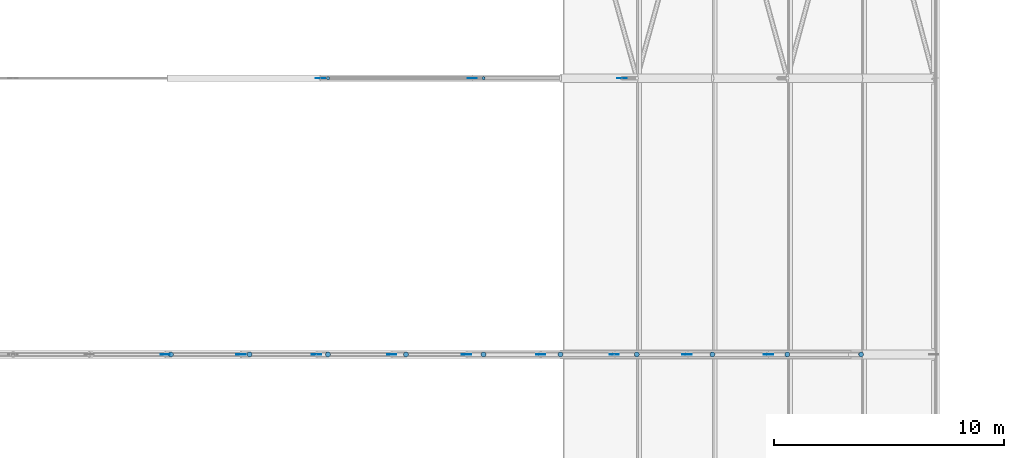
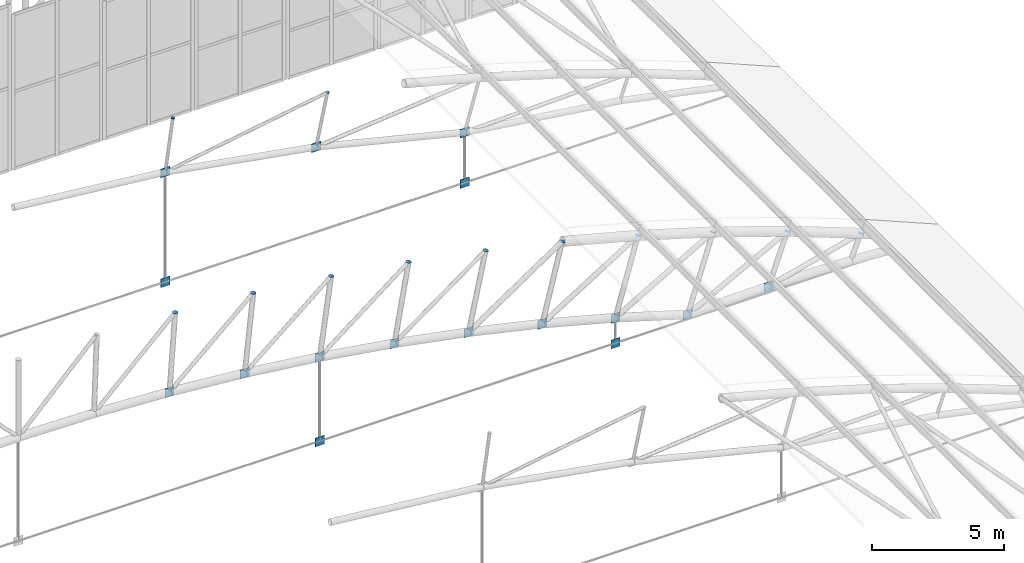
# One storey, part 301 of 321: 28 discrete accessories.
"""IFC4 building model written with IfcOpenShell, lengths in metres."""

import ifcopenshell
import ifcopenshell.guid

model = None  # the IFC model being written
_history = None  # IfcOwnerHistory: only IFC2X3 demands one
_inside = {}  # id of a spatial element -> (the spatial element, [elements in it])
_under = {}  # id of a project, library or spatial element -> (it, [spatial elements below it])
_declared = {}  # id of a project -> (the project, [libraries it declares])
_typed = {}  # id of a type object -> (the type object, [elements of that type])
_made_of = {}  # id of a material, layer set ... -> (it, [elements and type objects made of it])


def new_model(schema):
    """Start an empty IFC model of exactly this schema.

    Asked for "IFC4X3", IfcOpenShell would pick the latest addendum, in which some entities
    have other attributes; the version numbers below select the first issue.
    IFC2X3 requires an IfcOwnerHistory on every rooted entity: one is made here for all.
    """
    global model, _history
    if schema == "IFC4X3":
        model = ifcopenshell.file(schema_version=(4, 3, 0, 0))
    else:
        model = ifcopenshell.file(schema=schema)
    _inside.clear()
    _under.clear()
    _declared.clear()
    _typed.clear()
    _made_of.clear()
    _history = None
    if model.schema == "IFC2X3":
        org = make("IfcOrganization", Name="unknown")
        user = make(
            "IfcPersonAndOrganization",
            ThePerson=make("IfcPerson", FamilyName="unknown"),
            TheOrganization=org,
        )
        app = make(
            "IfcApplication",
            ApplicationDeveloper=org,
            Version="unknown",
            ApplicationFullName="unknown",
            ApplicationIdentifier="unknown",
        )
        _history = make(
            "IfcOwnerHistory",
            OwningUser=user,
            OwningApplication=app,
            ChangeAction="ADDED",
            CreationDate=0,
        )
    return model


def make(cls, **values):
    """One entity of the class cls with the attributes given. An attribute that is None is left unset."""
    return model.create_entity(
        cls, **{name: value for name, value in values.items() if value is not None}
    )


def rooted(cls, **values):
    """An entity with a GlobalId (a new one), such as an element, a storey or a relation."""
    return make(cls, GlobalId=ifcopenshell.guid.new(), OwnerHistory=_history, **values)


def si_unit(unit_type, name, prefix=None):
    """IfcSIUnit, for example si_unit("LENGTHUNIT", "METRE", prefix="MILLI")."""
    return make("IfcSIUnit", UnitType=unit_type, Prefix=prefix, Name=name)


def assignment(units):
    """IfcUnitAssignment: the units of a project."""
    return None if units is None else make("IfcUnitAssignment", Units=units)


def point(xyz):
    """IfcCartesianPoint."""
    return None if xyz is None else make("IfcCartesianPoint", Coordinates=xyz)


def direction(xyz):
    """IfcDirection."""
    return None if xyz is None else make("IfcDirection", DirectionRatios=xyz)


def frame(location, z_axis=None, x_axis=None):
    """IfcAxis2Placement3D, a coordinate frame: its origin and axes. An axis left out is left unset."""
    return make(
        "IfcAxis2Placement3D",
        Location=point(location),
        Axis=direction(z_axis),
        RefDirection=direction(x_axis),
    )


def frame_2d(location, x_axis=None):
    """IfcAxis2Placement2D, a coordinate frame in the plane: its origin and x axis."""
    return make(
        "IfcAxis2Placement2D", Location=point(location), RefDirection=direction(x_axis)
    )


def origin():
    """The frame at (0, 0, 0) with its axes left unset."""
    return frame((0.0, 0.0, 0.0))


def origin_2d():
    """The frame at (0, 0) in the plane with its x axis left unset."""
    return frame_2d((0.0, 0.0))


def place(relative_to, where):
    """IfcLocalPlacement: puts the frame where relative to a parent placement (None: the world)."""
    return make(
        "IfcLocalPlacement", PlacementRelTo=relative_to, RelativePlacement=where
    )


def context(
    kind, dimensions, precision=None, world=None, true_north=None, identifier=None
):
    """IfcGeometricRepresentationContext, for example the 3D "Model" context."""
    return make(
        "IfcGeometricRepresentationContext",
        ContextIdentifier=identifier,
        ContextType=kind,
        CoordinateSpaceDimension=dimensions,
        Precision=precision,
        WorldCoordinateSystem=world,
        TrueNorth=true_north,
    )


def subcontext(parent, identifier, kind, view, scale=None):
    """IfcGeometricRepresentationSubContext, for example "Body" below "Model"."""
    return make(
        "IfcGeometricRepresentationSubContext",
        ContextIdentifier=identifier,
        ContextType=kind,
        ParentContext=parent,
        TargetScale=scale,
        TargetView=view,
    )


def project(units=None, contexts=None):
    """IfcProject with its units and contexts."""
    return rooted(
        "IfcProject",
        Name="project",
        RepresentationContexts=contexts,
        UnitsInContext=assignment(units),
    )


def spatial(cls, under=None, at=None, **own):
    """A site, building, storey or space (cls), placed at a placement, below another one or the project."""
    s = rooted(cls, ObjectPlacement=at, **own)
    if under is not None:
        _under.setdefault(under.id(), (under, []))[1].append(s)
    return s


def profile(cls, at=None, kind="AREA", **sizes):
    """A parametric profile (cls). Its sizes go by their IFC names, for example OverallWidth=200.0."""
    return make(cls, ProfileType=kind, Position=at, **sizes)


def rectangle(**sizes):
    """IfcRectangleProfileDef."""
    return profile("IfcRectangleProfileDef", **sizes)


def circle(**sizes):
    """IfcCircleProfileDef."""
    return profile("IfcCircleProfileDef", **sizes)


def extrude(swept, where, along, depth):
    """IfcExtrudedAreaSolid: the profile swept, set in the frame where, extruded along a direction by depth."""
    return make(
        "IfcExtrudedAreaSolid",
        SweptArea=swept,
        Position=where,
        ExtrudedDirection=direction(along),
        Depth=depth,
    )


def shape(context_of_items, identifier, shape_type, items):
    """IfcShapeRepresentation: the items that make up one representation, for example the "Body"."""
    return make(
        "IfcShapeRepresentation",
        ContextOfItems=context_of_items,
        RepresentationIdentifier=identifier,
        RepresentationType=shape_type,
        Items=items,
    )


def material(Name=None, Category=None):
    """IfcMaterial."""
    return make("IfcMaterial", Name=Name, Category=Category)


def material_profile(
    of_material, cross_section, Name=None, Category=None, Priority=None
):
    """IfcMaterialProfile: a cross section and its material."""
    return make(
        "IfcMaterialProfile",
        Name=Name,
        Material=of_material,
        Profile=cross_section,
        Priority=Priority,
        Category=Category,
    )


def profile_set(profiles, Name=None, composite=None):
    """IfcMaterialProfileSet."""
    return make(
        "IfcMaterialProfileSet",
        Name=Name,
        MaterialProfiles=profiles,
        CompositeProfile=composite,
    )


def made_of(thing, what):
    """Note that an element or type object is made of a material, layer set ...; save() writes the relation."""
    if what is not None:
        _made_of.setdefault(what.id(), (what, []))[1].append(thing)
    return thing


def type_object(cls, material=None, **own):
    """A type object (cls), such as IfcWallType, which elements share."""
    return made_of(rooted(cls, **own), material)


def element(
    cls,
    number,
    at=None,
    inside=None,
    cuts=None,
    type_object=None,
    material=None,
    context=None,
    identifier="Body",
    shape_type=None,
    held_by="IfcProductDefinitionShape",
    body=None,
    shapes=None,
    **own,
):
    """One element of the class cls, such as IfcWall. Its Tag is "e" and its number.

    at: its placement. inside: the storey or other place that contains it. cuts: it is an
    opening in that element (IfcRelVoidsElement). A single representation is given by context,
    identifier, shape_type and body (its items); several are given by shapes. held_by: the class
    of the entity that holds the representations. save() writes the other relations.
    """
    e = rooted(cls, Tag="e%d" % number, ObjectPlacement=at, **own)
    if body is not None:
        shapes = [shape(context, identifier, shape_type, body)]
    if shapes is not None:
        e.Representation = make(held_by, Representations=shapes)
    if inside is not None:
        _inside.setdefault(inside.id(), (inside, []))[1].append(e)
    if cuts is not None:
        rooted(
            "IfcRelVoidsElement", RelatingBuildingElement=cuts, RelatedOpeningElement=e
        )
    if type_object is not None:
        _typed.setdefault(type_object.id(), (type_object, []))[1].append(e)
    return made_of(e, material)


def aggregate(whole, parts):
    """IfcRelAggregates: a whole, such as a stair, and the parts it consists of."""
    return rooted("IfcRelAggregates", RelatingObject=whole, RelatedObjects=parts)


def save(model, path):
    """Write the relations noted so far, then the file.

    IfcRelAggregates (storeys below a building ...), IfcRelContainedInSpatialStructure (elements
    in a storey), IfcRelDefinesByType, IfcRelAssociatesMaterial and IfcRelDeclares: one each for
    every whole, place, type object, material and project.
    """
    for whole, parts in _under.values():
        aggregate(whole, parts)
    for where, things in _inside.values():
        rooted(
            "IfcRelContainedInSpatialStructure",
            RelatedElements=things,
            RelatingStructure=where,
        )
    for kind, things in _typed.values():
        rooted("IfcRelDefinesByType", RelatedObjects=things, RelatingType=kind)
    for what, things in _made_of.values():
        rooted("IfcRelAssociatesMaterial", RelatedObjects=things, RelatingMaterial=what)
    for by, libraries in _declared.values():
        rooted("IfcRelDeclares", RelatingContext=by, RelatedDefinitions=libraries)
    model.write(path)


model = new_model("IFC4")

# Units and contexts
model_context = context("Model", 3, precision=1e-05, world=origin(), true_north=direction((0.0, 1.0)))
body_context = subcontext(model_context, "Body", "Model", "MODEL_VIEW")
ifc_project = project(units=[si_unit("LENGTHUNIT", "METRE"), si_unit("AREAUNIT", "SQUARE_METRE"), si_unit("VOLUMEUNIT", "CUBIC_METRE"), si_unit("PLANEANGLEUNIT", "RADIAN"), si_unit("MASSUNIT", "GRAM", prefix="KILO")], contexts=[model_context])

# Site, building, storey
site_placement = place(None, origin())
site = spatial("IfcSite", under=ifc_project, at=site_placement, CompositionType="ELEMENT")
building_placement = place(site_placement, origin())
building = spatial("IfcBuilding", under=site, at=building_placement, Name="Ravi Spectrum Wholesale Market", CompositionType="ELEMENT")
storey_placement = place(building_placement, frame((0.0, 0.0, 10.800048828125)))
storey = spatial("IfcBuildingStorey", under=building, at=storey_placement, Name="L02", CompositionType="ELEMENT", Elevation=10.800048828125)

# Discrete accessories
ifc_material_1 = material(Name="Steel S355", Category="steel")
ifc_material_profile_1 = material_profile(ifc_material_1, circle(Radius=0.06982421875, at=origin_2d()))
ifc_profile_set_1 = profile_set([ifc_material_profile_1], Name="Steel S355")
discrete_accessory_type_1 = type_object("IfcDiscreteAccessoryType", Name="End plate CHS 139.7x5", PredefinedType="BRACKET", material=ifc_profile_set_1)
for number, where, z_axis, x_axis, name in (
    (1, (83.681884765625, 186.0, 7.479736328125), (0.141421356237, 0.0, 0.989949493661), (0.0, 1.0, 0.0), "End plate"),
    (2, (90.44140625, 186.0, 6.30224609375), (0.203954254112, 0.0, 0.978980419738), (0.0, 1.0, 0.0), "End plate"),
):
    element("IfcDiscreteAccessory", number, at=place(storey_placement, frame(where, z_axis=z_axis, x_axis=x_axis)), inside=storey, type_object=discrete_accessory_type_1, Name=name, PredefinedType="BRACKET", context=body_context, shape_type="SweptSolid", body=[
        extrude(circle(Radius=0.06982421875, at=origin_2d()), origin(), (0.0, 0.0, 1.0), 0.011962890625),
    ])
ifc_material_2 = material(Name="Steel S355", Category="steel")
ifc_material_profile_2 = material_profile(ifc_material_2, circle(Radius=0.109619140625, at=origin_2d()))
ifc_profile_set_2 = profile_set([ifc_material_profile_2], Name="Steel S355")
discrete_accessory_type_2 = type_object("IfcDiscreteAccessoryType", Name="End plate CHS 219.1x8", PredefinedType="BRACKET", material=ifc_profile_set_2)
for number, where, z_axis, x_axis, name in (
    (3, (76.85546875, 174.0, 8.163330078125), (0.081362009455, 0.0, 0.996684615823), (0.0, 1.0, 0.0), "End plate"),
    (4, (80.273193359375, 174.0, 7.867919921875), (0.101513688013, 0.0, 0.994834142531), (0.0, 1.0, 0.0), "End plate"),
    (5, (83.678466796875, 174.0, 7.45458984375), (0.141421356237, 0.0, 0.989949493661), (0.0, 1.0, 0.0), "End plate"),
    (6, (87.0673828125, 174.0, 6.92431640625), (0.18428853505, 0.0, 0.982872186934), (0.0, 1.0, 0.0), "End plate"),
    (7, (90.436279296875, 174.0, 6.27734375), (0.203954254112, 0.0, 0.978980419738), (0.0, 1.0, 0.0), "End plate"),
    (8, (93.78076171875, 174.0, 5.514404296875), (0.223376156329, 0.0, 0.974732318528), (0.0, 1.0, 0.0), "End plate"),
):
    element("IfcDiscreteAccessory", number, at=place(storey_placement, frame(where, z_axis=z_axis, x_axis=x_axis)), inside=storey, type_object=discrete_accessory_type_2, Name=name, PredefinedType="BRACKET", context=body_context, shape_type="SweptSolid", body=[
        extrude(circle(Radius=0.109619140625, at=origin_2d()), origin(), (0.0, 0.0, 1.0), 0.011962890625),
    ])
discrete_accessory_1_placement = place(storey_placement, frame((97.096923828125, 174.0, 4.63671875), z_axis=(0.261415475728, 0.0, 0.96522637192), x_axis=(0.0, 1.0, 0.0)))
element("IfcDiscreteAccessory", 9, at=discrete_accessory_1_placement, inside=storey, type_object=discrete_accessory_type_2, Name="End plate", PredefinedType="BRACKET", context=body_context, shape_type="SweptSolid", body=[
    extrude(circle(Radius=0.109619140625, at=origin_2d()), origin(), (0.0, 0.0, 1.0), 0.01220703125),
])
for number, where, z_axis, x_axis, name in (
    (10, (100.380615234375, 174.0, 3.645263671875), (0.304040173793, 0.0, 0.952659211219), (0.0, 1.0, 0.0), "End plate"),
    (11, (103.62841796875, 174.0, 2.541015625), (0.346650140872, 0.0, 0.937994498829), (0.0, 1.0, 0.0), "End plate"),
    (12, (106.836181640625, 174.0, 1.325439453125), (0.364399348581, 0.0, 0.931242779706), (0.0, 1.0, 0.0), "End plate"),
):
    element("IfcDiscreteAccessory", number, at=place(storey_placement, frame(where, z_axis=z_axis, x_axis=x_axis)), inside=storey, type_object=discrete_accessory_type_2, Name=name, PredefinedType="BRACKET", context=body_context, shape_type="SweptSolid", body=[
        extrude(circle(Radius=0.109619140625, at=origin_2d()), origin(), (0.0, 0.0, 1.0), 0.011962890625),
    ])
ifc_material_3 = material(Name="Steel S355", Category="steel")
ifc_material_profile_3 = material_profile(ifc_material_3, rectangle(XDim=0.39990234375, YDim=0.02001953125, at=origin_2d()))
ifc_profile_set_3 = profile_set([ifc_material_profile_3], Name="Steel S355")
discrete_accessory_type_3 = type_object("IfcDiscreteAccessoryType", Name="Gusset plate 400x400x20", PredefinedType="BRACKET", material=ifc_profile_set_3)
discrete_accessory_2_placement = place(storey_placement, frame((76.607421875, 174.0, 4.371826171875), z_axis=(0.0, 0.0, 1.0), x_axis=(-1.0, 0.0, 0.0)))
element("IfcDiscreteAccessory", 13, at=discrete_accessory_2_placement, inside=storey, type_object=discrete_accessory_type_3, Name="Gusset plate", PredefinedType="BRACKET", context=body_context, shape_type="SweptSolid", body=[
    extrude(rectangle(XDim=0.39990234375, YDim=0.02001953125, at=origin_2d()), origin(), (0.0, 0.0, 1.0), 0.400146484375),
])
for number, where, z_axis, x_axis, name in (
    (14, (79.901123046875, 174.0, 4.087158203125), (0.0, 0.0, 1.0), (-1.0, 0.0, 0.0), "Gusset plate"),
    (15, (83.18310546875, 174.0, -0.199951171875), (0.0, 0.0, 1.0), (1.0, 0.0, 0.0), "Gusset plate"),
    (16, (83.18310546875, 174.0, 3.68896484375), (0.0, 0.0, 1.0), (-1.0, 0.0, 0.0), "Gusset plate"),
    (17, (83.351806640625, 186.0, -0.1767578125), (0.0, 0.0, 1.0), (1.0, 0.0, 0.0), "Gusset plate"),
):
    element("IfcDiscreteAccessory", number, at=place(storey_placement, frame(where, z_axis=z_axis, x_axis=x_axis)), inside=storey, type_object=discrete_accessory_type_3, Name=name, PredefinedType="BRACKET", context=body_context, shape_type="SweptSolid", body=[
        extrude(rectangle(XDim=0.39990234375, YDim=0.02001953125, at=origin_2d()), origin(), (0.0, 0.0, 1.0), 0.39990234375),
    ])
discrete_accessory_3_placement = place(storey_placement, frame((83.351806640625, 186.0, 4.902587890625), z_axis=(0.0, 0.0, 1.0), x_axis=(-1.0, 0.0, 0.0)))
element("IfcDiscreteAccessory", 18, at=discrete_accessory_3_placement, inside=storey, type_object=discrete_accessory_type_3, Name="Gusset plate", PredefinedType="BRACKET", context=body_context, shape_type="SweptSolid", body=[
    extrude(rectangle(XDim=0.39990234375, YDim=0.02001953125, at=origin_2d()), origin(), (0.0, 0.0, 1.0), 0.400146484375),
])
for number, where, z_axis, x_axis, name in (
    (19, (86.44970703125, 174.0, 3.177734375), (0.0, 0.0, 1.0), (-1.0, 0.0, 0.0), "Gusset plate"),
    (20, (89.6962890625, 174.0, 2.55419921875), (0.0, 0.0, 1.0), (-1.0, 0.0, 0.0), "Gusset plate"),
    (21, (89.9482421875, 186.0, 3.75341796875), (0.0, 0.0, 1.0), (-1.0, 0.0, 0.0), "Gusset plate"),
    (22, (92.919677734375, 174.0, 1.819091796875), (0.0, 0.0, 1.0), (-1.0, 0.0, 0.0), "Gusset plate"),
    (23, (96.11572265625, 174.0, -0.199951171875), (0.0, 0.0, 1.0), (1.0, 0.0, 0.0), "Gusset plate"),
    (24, (96.11572265625, 174.0, 0.97314453125), (0.0, 0.0, 1.0), (-1.0, 0.0, 0.0), "Gusset plate"),
    (25, (96.44970703125, 186.0, -0.1767578125), (0.0, 0.0, 1.0), (1.0, 0.0, 0.0), "Gusset plate"),
    (26, (96.44970703125, 186.0, 2.152099609375), (0.0, 0.0, 1.0), (-1.0, 0.0, 0.0), "Gusset plate"),
):
    element("IfcDiscreteAccessory", number, at=place(storey_placement, frame(where, z_axis=z_axis, x_axis=x_axis)), inside=storey, type_object=discrete_accessory_type_3, Name=name, PredefinedType="BRACKET", context=body_context, shape_type="SweptSolid", body=[
        extrude(rectangle(XDim=0.39990234375, YDim=0.02001953125, at=origin_2d()), origin(), (0.0, 0.0, 1.0), 0.39990234375),
    ])
discrete_accessory_4_placement = place(storey_placement, frame((99.28076171875, 174.0, 0.017333984375), z_axis=(0.0, 0.0, 1.0), x_axis=(-1.0, 0.0, 0.0)))
element("IfcDiscreteAccessory", 27, at=discrete_accessory_4_placement, inside=storey, type_object=discrete_accessory_type_3, Name="Gusset plate", PredefinedType="BRACKET", context=body_context, shape_type="SweptSolid", body=[
    extrude(rectangle(XDim=0.39990234375, YDim=0.02001953125, at=origin_2d()), origin(), (0.0, 0.0, 1.0), 0.400146484375),
])
discrete_accessory_5_placement = place(storey_placement, frame((102.81689453125, 174.0, 0.08251953125), z_axis=(0.0, 0.0, 1.0), x_axis=(-1.0, 0.0, 0.0)))
element("IfcDiscreteAccessory", 28, at=discrete_accessory_5_placement, inside=storey, type_object=discrete_accessory_type_3, Name="Gusset plate", PredefinedType="BRACKET", context=body_context, shape_type="SweptSolid", body=[
    extrude(rectangle(XDim=0.39990234375, YDim=0.02001953125, at=origin_2d()), origin(), (0.0, 0.0, 1.0), 0.39990234375),
])

save(model, "model.ifc")
